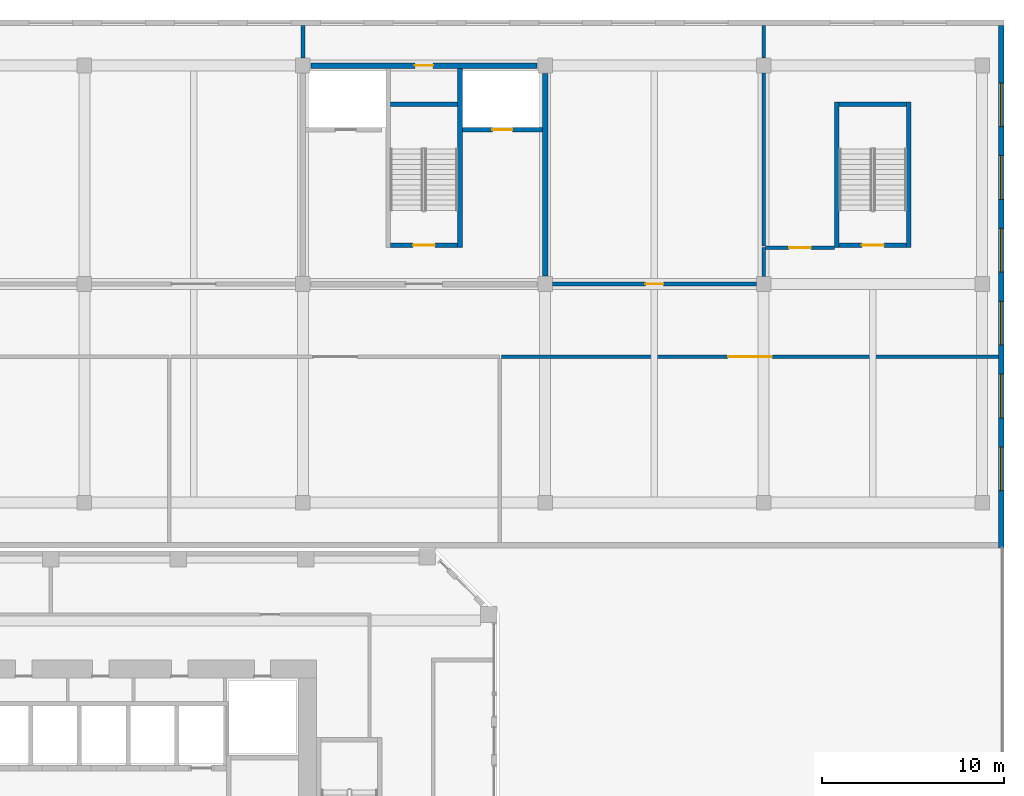
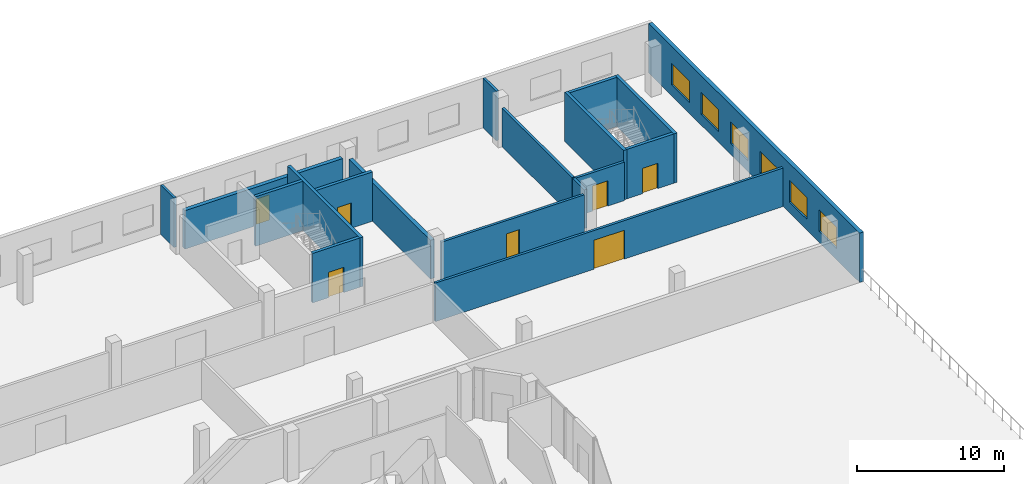
# One storey, part 30 of 38: 18 walls, 7 doors, 6 windows, 13 openings.
"""IFC4 building model written with IfcOpenShell, lengths in metres."""

import ifcopenshell
import ifcopenshell.guid

model = None  # the IFC model being written
_history = None  # IfcOwnerHistory: only IFC2X3 demands one
_inside = {}  # id of a spatial element -> (the spatial element, [elements in it])
_under = {}  # id of a project, library or spatial element -> (it, [spatial elements below it])
_declared = {}  # id of a project -> (the project, [libraries it declares])
_typed = {}  # id of a type object -> (the type object, [elements of that type])
_made_of = {}  # id of a material, layer set ... -> (it, [elements and type objects made of it])


def new_model(schema):
    """Start an empty IFC model of exactly this schema.

    Asked for "IFC4X3", IfcOpenShell would pick the latest addendum, in which some entities
    have other attributes; the version numbers below select the first issue.
    IFC2X3 requires an IfcOwnerHistory on every rooted entity: one is made here for all.
    """
    global model, _history
    if schema == "IFC4X3":
        model = ifcopenshell.file(schema_version=(4, 3, 0, 0))
    else:
        model = ifcopenshell.file(schema=schema)
    _inside.clear()
    _under.clear()
    _declared.clear()
    _typed.clear()
    _made_of.clear()
    _history = None
    if model.schema == "IFC2X3":
        org = make("IfcOrganization", Name="unknown")
        user = make(
            "IfcPersonAndOrganization",
            ThePerson=make("IfcPerson", FamilyName="unknown"),
            TheOrganization=org,
        )
        app = make(
            "IfcApplication",
            ApplicationDeveloper=org,
            Version="unknown",
            ApplicationFullName="unknown",
            ApplicationIdentifier="unknown",
        )
        _history = make(
            "IfcOwnerHistory",
            OwningUser=user,
            OwningApplication=app,
            ChangeAction="ADDED",
            CreationDate=0,
        )
    return model


def make(cls, **values):
    """One entity of the class cls with the attributes given. An attribute that is None is left unset."""
    return model.create_entity(
        cls, **{name: value for name, value in values.items() if value is not None}
    )


def rooted(cls, **values):
    """An entity with a GlobalId (a new one), such as an element, a storey or a relation."""
    return make(cls, GlobalId=ifcopenshell.guid.new(), OwnerHistory=_history, **values)


def si_unit(unit_type, name, prefix=None):
    """IfcSIUnit, for example si_unit("LENGTHUNIT", "METRE", prefix="MILLI")."""
    return make("IfcSIUnit", UnitType=unit_type, Prefix=prefix, Name=name)


def assignment(units):
    """IfcUnitAssignment: the units of a project."""
    return None if units is None else make("IfcUnitAssignment", Units=units)


def point(xyz):
    """IfcCartesianPoint."""
    return None if xyz is None else make("IfcCartesianPoint", Coordinates=xyz)


def direction(xyz):
    """IfcDirection."""
    return None if xyz is None else make("IfcDirection", DirectionRatios=xyz)


def frame(location, z_axis=None, x_axis=None):
    """IfcAxis2Placement3D, a coordinate frame: its origin and axes. An axis left out is left unset."""
    return make(
        "IfcAxis2Placement3D",
        Location=point(location),
        Axis=direction(z_axis),
        RefDirection=direction(x_axis),
    )


def frame_2d(location, x_axis=None):
    """IfcAxis2Placement2D, a coordinate frame in the plane: its origin and x axis."""
    return make(
        "IfcAxis2Placement2D", Location=point(location), RefDirection=direction(x_axis)
    )


def origin():
    """The frame at (0, 0, 0) with its axes left unset."""
    return frame((0.0, 0.0, 0.0))


def place(relative_to, where):
    """IfcLocalPlacement: puts the frame where relative to a parent placement (None: the world)."""
    return make(
        "IfcLocalPlacement", PlacementRelTo=relative_to, RelativePlacement=where
    )


def context(
    kind, dimensions, precision=None, world=None, true_north=None, identifier=None
):
    """IfcGeometricRepresentationContext, for example the 3D "Model" context."""
    return make(
        "IfcGeometricRepresentationContext",
        ContextIdentifier=identifier,
        ContextType=kind,
        CoordinateSpaceDimension=dimensions,
        Precision=precision,
        WorldCoordinateSystem=world,
        TrueNorth=true_north,
    )


def subcontext(parent, identifier, kind, view, scale=None):
    """IfcGeometricRepresentationSubContext, for example "Body" below "Model"."""
    return make(
        "IfcGeometricRepresentationSubContext",
        ContextIdentifier=identifier,
        ContextType=kind,
        ParentContext=parent,
        TargetScale=scale,
        TargetView=view,
    )


def project(units=None, contexts=None):
    """IfcProject with its units and contexts."""
    return rooted(
        "IfcProject",
        Name="project",
        RepresentationContexts=contexts,
        UnitsInContext=assignment(units),
    )


def spatial(cls, under=None, at=None, **own):
    """A site, building, storey or space (cls), placed at a placement, below another one or the project."""
    s = rooted(cls, ObjectPlacement=at, **own)
    if under is not None:
        _under.setdefault(under.id(), (under, []))[1].append(s)
    return s


def profile(cls, at=None, kind="AREA", **sizes):
    """A parametric profile (cls). Its sizes go by their IFC names, for example OverallWidth=200.0."""
    return make(cls, ProfileType=kind, Position=at, **sizes)


def rectangle(**sizes):
    """IfcRectangleProfileDef."""
    return profile("IfcRectangleProfileDef", **sizes)


def extrude(swept, where, along, depth):
    """IfcExtrudedAreaSolid: the profile swept, set in the frame where, extruded along a direction by depth."""
    return make(
        "IfcExtrudedAreaSolid",
        SweptArea=swept,
        Position=where,
        ExtrudedDirection=direction(along),
        Depth=depth,
    )


def shape(context_of_items, identifier, shape_type, items):
    """IfcShapeRepresentation: the items that make up one representation, for example the "Body"."""
    return make(
        "IfcShapeRepresentation",
        ContextOfItems=context_of_items,
        RepresentationIdentifier=identifier,
        RepresentationType=shape_type,
        Items=items,
    )


def source(mapping_origin, context_of_items, identifier, shape_type, items):
    """IfcRepresentationMap: a shape defined once, which mapped items show again and again."""
    return make(
        "IfcRepresentationMap",
        MappingOrigin=mapping_origin,
        MappedRepresentation=shape(context_of_items, identifier, shape_type, items),
    )


def transform(
    local_origin,
    x_axis=None,
    y_axis=None,
    z_axis=None,
    scale=None,
    scale2=None,
    scale3=None,
    uniform=True,
):
    """IfcCartesianTransformationOperator3D, or its non-uniform kind. x_axis, y_axis, z_axis: its Axis1, 2, 3."""
    if uniform:
        return make(
            "IfcCartesianTransformationOperator3D",
            Axis1=direction(x_axis),
            Axis2=direction(y_axis),
            LocalOrigin=point(local_origin),
            Scale=scale,
            Axis3=direction(z_axis),
        )
    return make(
        "IfcCartesianTransformationOperator3DnonUniform",
        Axis1=direction(x_axis),
        Axis2=direction(y_axis),
        LocalOrigin=point(local_origin),
        Scale=scale,
        Axis3=direction(z_axis),
        Scale2=scale2,
        Scale3=scale3,
    )


def mapped(mapping_source, mapping_target):
    """IfcMappedItem: shows the shape of a source again, moved by a transform."""
    return make(
        "IfcMappedItem", MappingSource=mapping_source, MappingTarget=mapping_target
    )


def material(Name=None, Category=None):
    """IfcMaterial."""
    return make("IfcMaterial", Name=Name, Category=Category)


def layer(
    of_material, thickness, ventilated=None, Name=None, Category=None, Priority=None
):
    """IfcMaterialLayer: one layer of a wall or slab, of a material (None: an air gap)."""
    return make(
        "IfcMaterialLayer",
        Material=of_material,
        LayerThickness=thickness,
        IsVentilated=ventilated,
        Name=Name,
        Category=Category,
        Priority=Priority,
    )


def layer_set(layers, Name=None):
    """IfcMaterialLayerSet."""
    return make("IfcMaterialLayerSet", MaterialLayers=layers, LayerSetName=Name)


def made_of(thing, what):
    """Note that an element or type object is made of a material, layer set ...; save() writes the relation."""
    if what is not None:
        _made_of.setdefault(what.id(), (what, []))[1].append(thing)
    return thing


def type_object(cls, material=None, **own):
    """A type object (cls), such as IfcWallType, which elements share."""
    return made_of(rooted(cls, **own), material)


def element(
    cls,
    number,
    at=None,
    inside=None,
    cuts=None,
    type_object=None,
    material=None,
    context=None,
    identifier="Body",
    shape_type=None,
    held_by="IfcProductDefinitionShape",
    body=None,
    shapes=None,
    **own,
):
    """One element of the class cls, such as IfcWall. Its Tag is "e" and its number.

    at: its placement. inside: the storey or other place that contains it. cuts: it is an
    opening in that element (IfcRelVoidsElement). A single representation is given by context,
    identifier, shape_type and body (its items); several are given by shapes. held_by: the class
    of the entity that holds the representations. save() writes the other relations.
    """
    e = rooted(cls, Tag="e%d" % number, ObjectPlacement=at, **own)
    if body is not None:
        shapes = [shape(context, identifier, shape_type, body)]
    if shapes is not None:
        e.Representation = make(held_by, Representations=shapes)
    if inside is not None:
        _inside.setdefault(inside.id(), (inside, []))[1].append(e)
    if cuts is not None:
        rooted(
            "IfcRelVoidsElement", RelatingBuildingElement=cuts, RelatedOpeningElement=e
        )
    if type_object is not None:
        _typed.setdefault(type_object.id(), (type_object, []))[1].append(e)
    return made_of(e, material)


def fill(opening, filler):
    """IfcRelFillsElement: the door or window that sits in an opening."""
    return rooted(
        "IfcRelFillsElement",
        RelatingOpeningElement=opening,
        RelatedBuildingElement=filler,
    )


def aggregate(whole, parts):
    """IfcRelAggregates: a whole, such as a stair, and the parts it consists of."""
    return rooted("IfcRelAggregates", RelatingObject=whole, RelatedObjects=parts)


def save(model, path):
    """Write the relations noted so far, then the file.

    IfcRelAggregates (storeys below a building ...), IfcRelContainedInSpatialStructure (elements
    in a storey), IfcRelDefinesByType, IfcRelAssociatesMaterial and IfcRelDeclares: one each for
    every whole, place, type object, material and project.
    """
    for whole, parts in _under.values():
        aggregate(whole, parts)
    for where, things in _inside.values():
        rooted(
            "IfcRelContainedInSpatialStructure",
            RelatedElements=things,
            RelatingStructure=where,
        )
    for kind, things in _typed.values():
        rooted("IfcRelDefinesByType", RelatedObjects=things, RelatingType=kind)
    for what, things in _made_of.values():
        rooted("IfcRelAssociatesMaterial", RelatedObjects=things, RelatingMaterial=what)
    for by, libraries in _declared.values():
        rooted("IfcRelDeclares", RelatingContext=by, RelatedDefinitions=libraries)
    model.write(path)


model = new_model("IFC4")

# Units and contexts
model_context = context("Model", 3, precision=1e-05, world=origin(), true_north=direction((0.0, 1.0)))
body_context = subcontext(model_context, "Body", "Model", "MODEL_VIEW")
ifc_project = project(units=[si_unit("LENGTHUNIT", "METRE"), si_unit("AREAUNIT", "SQUARE_METRE"), si_unit("VOLUMEUNIT", "CUBIC_METRE"), si_unit("PLANEANGLEUNIT", "RADIAN"), si_unit("MASSUNIT", "GRAM", prefix="KILO")], contexts=[model_context])

# Site, building, storey
site_placement = place(None, origin())
site = spatial("IfcSite", under=ifc_project, at=site_placement, CompositionType="ELEMENT")
building_placement = place(site_placement, origin())
building = spatial("IfcBuilding", under=site, at=building_placement, Name="Kilnfold Tower and Market Hall", CompositionType="ELEMENT")
storey_placement = place(building_placement, frame((0.0, 0.0, 9.0)))
storey = spatial("IfcBuildingStorey", under=building, at=storey_placement, Name="L01", CompositionType="ELEMENT", Elevation=9.0)

# Wall, opening, door
ifc_material_1 = material(Name="Concrete C50/60", Category="concrete")
ifc_layer_1 = layer(ifc_material_1, 0.25)
ifc_layer_set_1 = layer_set([ifc_layer_1], Name="Concrete C50/60")
wall_type_1 = type_object("IfcWallType", Name="HALL CORE WALL 250", PredefinedType="SHEAR", material=ifc_layer_set_1)
shared_shape_1 = source(origin(), body_context, "Body", "SweptSolid", [
    extrude(rectangle(XDim=3.699951171875, YDim=0.25, at=frame_2d((1.85009765625, 0.0))), origin(), (0.0, 0.0, 1.0), 4.10009765625),
])
wall_1_placement = place(storey_placement, frame((46.800048828125, 44.77490234375, 0.0), z_axis=(0.0, 0.0, 1.0), x_axis=(1.0, 0.0, 0.0)))
wall_1 = element("IfcWall", 1, at=wall_1_placement, inside=storey, type_object=wall_type_1, Name="Core wall MS6", PredefinedType="SHEAR", context=body_context, shape_type="MappedRepresentation", body=[
    mapped(shared_shape_1, transform((0.0, 0.0, 0.0))),
])
opening_1_placement = place(wall_1_placement, frame((1.25, 0.0, 0.0)))
opening_1 = element("IfcOpeningElement", 2, at=opening_1_placement, cuts=wall_1, Name="Opening MD9-60", PredefinedType="OPENING", context=body_context, shape_type="SweptSolid", body=[
    extrude(rectangle(XDim=1.199951171875, YDim=2.10009765625, at=frame_2d((0.60009765625, 1.050048828125))), frame((0.0, 0.135009765625, 0.0), z_axis=(0.0, -1.0, 0.0), x_axis=(1.0, 0.0, 0.0)), (0.0, 0.0, 1.0), 0.27001953125),
])
ifc_material_2 = material(Name="Steel S355", Category="steel")
door_type_1 = type_object("IfcDoorType", Name="HALL DOOR STAIR 1200X2100 FD60", OperationType="NOTDEFINED", PredefinedType="DOOR", material=ifc_material_2)
door_1_placement = place(opening_1_placement, origin())
door_1 = element("IfcDoor", 3, at=door_1_placement, inside=storey, type_object=door_type_1, Name="Door MD9-60", OperationType="DOUBLE_DOOR_SINGLE_SWING", OverallHeight=2.10009765625, OverallWidth=1.199951171875, PredefinedType="DOOR", context=body_context, shape_type="SweptSolid", body=[
    extrude(rectangle(XDim=1.199951171875, YDim=2.10009765625, at=frame_2d((0.60009765625, 1.050048828125))), frame((0.0, 0.02490234375, 0.0), z_axis=(0.0, -1.0, 0.0), x_axis=(1.0, 0.0, 0.0)), (0.0, 0.0, 1.0), 0.050048828125),
])
fill(opening_1, door_1)

# Walls
wall_2_placement = place(storey_placement, frame((46.800048828125, 52.52490234375, 0.0), z_axis=(0.0, 0.0, 1.0), x_axis=(1.0, 0.0, 0.0)))
element("IfcWall", 4, at=wall_2_placement, inside=storey, type_object=wall_type_1, Name="Core wall MS6", PredefinedType="SHEAR", context=body_context, shape_type="MappedRepresentation", body=[
    mapped(shared_shape_1, transform((0.0, 0.0, 0.0))),
])
shared_shape_2 = source(origin(), body_context, "Body", "SweptSolid", [
    extrude(rectangle(XDim=3.7001953125, YDim=0.25, at=frame_2d((1.85009765625, 0.0))), origin(), (0.0, 0.0, 1.0), 4.10009765625),
])
wall_3_placement = place(storey_placement, frame((25.85009765625, 52.52490234375, 0.0), z_axis=(0.0, 0.0, 1.0), x_axis=(-1.0, 0.0, 0.0)))
element("IfcWall", 5, at=wall_3_placement, inside=storey, type_object=wall_type_1, Name="Core wall MH3", PredefinedType="SHEAR", context=body_context, shape_type="MappedRepresentation", body=[
    mapped(shared_shape_2, transform((0.0, 0.0, 0.0))),
])

# Wall, opening, door
wall_4_placement = place(storey_placement, frame((25.85009765625, 44.77490234375, 0.0), z_axis=(0.0, 0.0, 1.0), x_axis=(-1.0, 0.0, 0.0)))
wall_4 = element("IfcWall", 6, at=wall_4_placement, inside=storey, type_object=wall_type_1, Name="Core wall MH3", PredefinedType="SHEAR", context=body_context, shape_type="MappedRepresentation", body=[
    mapped(shared_shape_2, transform((0.0, 0.0, 0.0))),
])
opening_2_placement = place(wall_4_placement, frame((1.25, 0.0, 0.0)))
opening_2 = element("IfcOpeningElement", 7, at=opening_2_placement, cuts=wall_4, Name="Opening MD9-60", PredefinedType="OPENING", context=body_context, shape_type="SweptSolid", body=[
    extrude(rectangle(XDim=1.199951171875, YDim=2.10009765625, at=frame_2d((0.60009765625, 1.050048828125))), frame((0.0, 0.135009765625, 0.0), z_axis=(0.0, -1.0, 0.0), x_axis=(1.0, 0.0, 0.0)), (0.0, 0.0, 1.0), 0.27001953125),
])
door_2_placement = place(opening_2_placement, origin())
door_2 = element("IfcDoor", 8, at=door_2_placement, inside=storey, type_object=door_type_1, Name="Door MD9-60", OperationType="DOUBLE_DOOR_SINGLE_SWING", OverallHeight=2.10009765625, OverallWidth=1.199951171875, PredefinedType="DOOR", context=body_context, shape_type="SweptSolid", body=[
    extrude(rectangle(XDim=1.199951171875, YDim=2.10009765625, at=frame_2d((0.60009765625, 1.050048828125))), frame((0.0, 0.02490234375, 0.0), z_axis=(0.0, -1.0, 0.0), x_axis=(1.0, 0.0, 0.0)), (0.0, 0.0, 1.0), 0.050048828125),
])
fill(opening_2, door_2)

# Walls
shared_shape_3 = source(origin(), body_context, "Body", "SweptSolid", [
    extrude(rectangle(XDim=8.0, YDim=0.25, at=frame_2d((4.0, 0.0))), origin(), (0.0, 0.0, 1.0), 4.10009765625),
])
for number, where, z_axis, x_axis, name in (
    (9, (46.675048828125, 44.64990234375, 0.0), (0.0, 0.0, 1.0), (0.0, 1.0, 0.0), "Core wall MS6"),
    (10, (50.625, 44.64990234375, 0.0), (0.0, 0.0, 1.0), (0.0, 1.0, 0.0), "Core wall MS6"),
):
    element("IfcWall", number, at=place(storey_placement, frame(where, z_axis=z_axis, x_axis=x_axis)), inside=storey, type_object=wall_type_1, Name=name, PredefinedType="SHEAR", context=body_context, shape_type="MappedRepresentation", body=[
        mapped(shared_shape_3, transform((0.0, 0.0, 0.0))),
    ])
ifc_material_3 = material(Name="Concrete C50/60", Category="concrete")
ifc_layer_2 = layer(ifc_material_3, 0.300048828125)
ifc_layer_set_2 = layer_set([ifc_layer_2], Name="Concrete C50/60")
wall_type_2 = type_object("IfcWallType", Name="HALL CORE WALL 300", PredefinedType="SHEAR", material=ifc_layer_set_2)
shared_shape_4 = source(origin(), body_context, "Body", "SweptSolid", [
    extrude(rectangle(XDim=11.099853515625, YDim=0.300048828125, at=frame_2d((5.5498046875, 0.0))), origin(), (0.0, 0.0, 1.0), 3.199951171875),
])
wall_5_placement = place(storey_placement, frame((30.64990234375, 54.199951171875, 0.0), z_axis=(0.0, 0.0, 1.0), x_axis=(0.0, -1.0, 0.0)))
element("IfcWall", 11, at=wall_5_placement, inside=storey, type_object=wall_type_2, Name="Core wall MH3", PredefinedType="SHEAR", context=body_context, shape_type="MappedRepresentation", body=[
    mapped(shared_shape_4, transform((0.0, 0.0, 0.0))),
])
shared_shape_5 = source(origin(), body_context, "Body", "SweptSolid", [
    extrude(rectangle(XDim=9.85009765625, YDim=0.25, at=frame_2d((4.925048828125, 0.0))), origin(), (0.0, 0.0, 1.0), 4.10009765625),
])
wall_6_placement = place(storey_placement, frame((25.97509765625, 54.5, 0.0), z_axis=(0.0, 0.0, 1.0), x_axis=(0.0, -1.0, 0.0)))
element("IfcWall", 12, at=wall_6_placement, inside=storey, type_object=wall_type_1, Name="Core wall MH3", PredefinedType="SHEAR", context=body_context, shape_type="MappedRepresentation", body=[
    mapped(shared_shape_5, transform((0.0, 0.0, 0.0))),
])

# Wall, opening, door
shared_shape_6 = source(origin(), body_context, "Body", "SweptSolid", [
    extrude(rectangle(XDim=12.39990234375, YDim=0.300048828125, at=frame_2d((6.199951171875, 0.0))), origin(), (0.0, 0.0, 1.0), 3.199951171875),
])
wall_7_placement = place(storey_placement, frame((30.199951171875, 54.64990234375, 0.0), z_axis=(0.0, 0.0, 1.0), x_axis=(-1.0, 0.0, 0.0)))
wall_7 = element("IfcWall", 13, at=wall_7_placement, inside=storey, type_object=wall_type_2, Name="Core wall MH3", PredefinedType="SHEAR", context=body_context, shape_type="MappedRepresentation", body=[
    mapped(shared_shape_6, transform((0.0, 0.0, 0.0))),
])
opening_3_placement = place(wall_7_placement, frame((5.699951171875, 0.0, 0.0)))
opening_3 = element("IfcOpeningElement", 14, at=opening_3_placement, cuts=wall_7, Name="Opening MD4-60", PredefinedType="OPENING", context=body_context, shape_type="SweptSolid", body=[
    extrude(rectangle(XDim=1.0, YDim=2.10009765625, at=frame_2d((0.5, 1.050048828125))), frame((0.0, 0.16015625, 0.0), z_axis=(0.0, -1.0, 0.0), x_axis=(1.0, 0.0, 0.0)), (0.0, 0.0, 1.0), 0.320068359375),
])
ifc_material_4 = material(Name="Steel S355", Category="steel")
door_type_2 = type_object("IfcDoorType", Name="HALL DOOR RISER 1000X2100 FD60", OperationType="NOTDEFINED", PredefinedType="DOOR", material=ifc_material_4)
door_3_placement = place(opening_3_placement, origin())
door_3 = element("IfcDoor", 15, at=door_3_placement, inside=storey, type_object=door_type_2, Name="Door MD4-60", OperationType="SINGLE_SWING_RIGHT", OverallHeight=2.10009765625, OverallWidth=1.0, PredefinedType="DOOR", context=body_context, shape_type="SweptSolid", body=[
    extrude(rectangle(XDim=1.0, YDim=2.10009765625, at=frame_2d((0.5, 1.050048828125))), frame((0.0, 0.02490234375, 0.0), z_axis=(0.0, -1.0, 0.0), x_axis=(1.0, 0.0, 0.0)), (0.0, 0.0, 1.0), 0.050048828125),
])
fill(opening_3, door_3)

shared_shape_7 = source(origin(), body_context, "Body", "SweptSolid", [
    extrude(rectangle(XDim=4.39990234375, YDim=0.25, at=frame_2d((2.199951171875, 0.0))), origin(), (0.0, 0.0, 1.0), 4.10009765625),
])
wall_8_placement = place(storey_placement, frame((30.5, 51.125, 0.0), z_axis=(0.0, 0.0, 1.0), x_axis=(-1.0, 0.0, 0.0)))
wall_8 = element("IfcWall", 16, at=wall_8_placement, inside=storey, type_object=wall_type_1, Name="Core wall MH3", PredefinedType="SHEAR", context=body_context, shape_type="MappedRepresentation", body=[
    mapped(shared_shape_7, transform((0.0, 0.0, 0.0))),
])
opening_4_placement = place(wall_8_placement, frame((1.64990234375, 0.0, 0.0)))
opening_4 = element("IfcOpeningElement", 17, at=opening_4_placement, cuts=wall_8, Name="Opening LD", PredefinedType="OPENING", context=body_context, shape_type="SweptSolid", body=[
    extrude(rectangle(XDim=1.10009765625, YDim=2.10009765625, at=frame_2d((0.550048828125, 1.050048828125))), frame((0.0, 0.135009765625, 0.0), z_axis=(0.0, -1.0, 0.0), x_axis=(1.0, 0.0, 0.0)), (0.0, 0.0, 1.0), 0.27001953125),
])
ifc_material_5 = material(Name="Steel S355", Category="steel")
door_type_3 = type_object("IfcDoorType", Name="HALL LANDING DOOR 1100X2100 FD60", OperationType="NOTDEFINED", PredefinedType="DOOR", material=ifc_material_5)
door_4_placement = place(opening_4_placement, origin())
door_4 = element("IfcDoor", 18, at=door_4_placement, inside=storey, type_object=door_type_3, Name="Door LD", OperationType="SLIDING_TO_LEFT", OverallHeight=2.10009765625, OverallWidth=1.10009765625, PredefinedType="DOOR", context=body_context, shape_type="SweptSolid", body=[
    extrude(rectangle(XDim=1.10009765625, YDim=2.10009765625, at=frame_2d((0.550048828125, 1.050048828125))), frame((0.0, 0.02490234375, 0.0), z_axis=(0.0, -1.0, 0.0), x_axis=(1.0, 0.0, 0.0)), (0.0, 0.0, 1.0), 0.050048828125),
])
fill(opening_4, door_4)

# Wall, openings, windows
ifc_material_6 = material(Name="Concrete blockwork", Category="masonry")
ifc_layer_3 = layer(ifc_material_6, 0.300048828125)
ifc_layer_set_3 = layer_set([ifc_layer_3], Name="Concrete blockwork")
wall_type_3 = type_object("IfcWallType", Name="HALL EXTERNAL WALL 300 EI 60", PredefinedType="SOLIDWALL", material=ifc_layer_set_3)
shared_shape_8 = source(origin(), body_context, "Body", "SweptSolid", [
    extrude(rectangle(XDim=28.7001953125, YDim=0.300048828125, at=frame_2d((14.35009765625, 0.0))), origin(), (0.0, 0.0, 1.0), 4.10009765625),
])
wall_9_placement = place(storey_placement, frame((55.699951171875, 56.85009765625, 0.0), z_axis=(0.0, 0.0, 1.0), x_axis=(0.0, -1.0, 0.0)))
wall_9 = element("IfcWall", 19, at=wall_9_placement, inside=storey, type_object=wall_type_3, Name="External wall MEW-L01.3", PredefinedType="SOLIDWALL", context=body_context, shape_type="MappedRepresentation", body=[
    mapped(shared_shape_8, transform((0.0, 0.0, 0.0))),
])
opening_5_placement = place(wall_9_placement, frame((3.14990234375, 0.0, 0.89990234375)))
opening_5 = element("IfcOpeningElement", 20, at=opening_5_placement, cuts=wall_9, Name="Opening MEN3", PredefinedType="OPENING", context=body_context, shape_type="SweptSolid", body=[
    extrude(rectangle(XDim=2.39990234375, YDim=1.800048828125, at=frame_2d((1.199951171875, 0.89990234375))), frame((0.0, 0.16015625, 0.0), z_axis=(0.0, -1.0, 0.0), x_axis=(1.0, 0.0, 0.0)), (0.0, 0.0, 1.0), 0.320068359375),
])
opening_6_placement = place(wall_9_placement, frame((7.14990234375, 0.0, 0.89990234375)))
opening_6 = element("IfcOpeningElement", 21, at=opening_6_placement, cuts=wall_9, Name="Opening MEN3", PredefinedType="OPENING", context=body_context, shape_type="SweptSolid", body=[
    extrude(rectangle(XDim=2.39990234375, YDim=1.800048828125, at=frame_2d((1.199951171875, 0.89990234375))), frame((0.0, 0.16015625, 0.0), z_axis=(0.0, -1.0, 0.0), x_axis=(1.0, 0.0, 0.0)), (0.0, 0.0, 1.0), 0.320068359375),
])
opening_7_placement = place(wall_9_placement, frame((11.14990234375, 0.0, 0.89990234375)))
opening_7 = element("IfcOpeningElement", 22, at=opening_7_placement, cuts=wall_9, Name="Opening MEN3", PredefinedType="OPENING", context=body_context, shape_type="SweptSolid", body=[
    extrude(rectangle(XDim=2.39990234375, YDim=1.800048828125, at=frame_2d((1.199951171875, 0.89990234375))), frame((0.0, 0.16015625, 0.0), z_axis=(0.0, -1.0, 0.0), x_axis=(1.0, 0.0, 0.0)), (0.0, 0.0, 1.0), 0.320068359375),
])
opening_8_placement = place(wall_9_placement, frame((15.14990234375, 0.0, 0.89990234375)))
opening_8 = element("IfcOpeningElement", 23, at=opening_8_placement, cuts=wall_9, Name="Opening MEN3", PredefinedType="OPENING", context=body_context, shape_type="SweptSolid", body=[
    extrude(rectangle(XDim=2.39990234375, YDim=1.800048828125, at=frame_2d((1.199951171875, 0.89990234375))), frame((0.0, 0.16015625, 0.0), z_axis=(0.0, -1.0, 0.0), x_axis=(1.0, 0.0, 0.0)), (0.0, 0.0, 1.0), 0.320068359375),
])
opening_9_placement = place(wall_9_placement, frame((19.14990234375, 0.0, 0.89990234375)))
opening_9 = element("IfcOpeningElement", 24, at=opening_9_placement, cuts=wall_9, Name="Opening MEN3", PredefinedType="OPENING", context=body_context, shape_type="SweptSolid", body=[
    extrude(rectangle(XDim=2.39990234375, YDim=1.800048828125, at=frame_2d((1.199951171875, 0.89990234375))), frame((0.0, 0.16015625, 0.0), z_axis=(0.0, -1.0, 0.0), x_axis=(1.0, 0.0, 0.0)), (0.0, 0.0, 1.0), 0.320068359375),
])
opening_10_placement = place(wall_9_placement, frame((23.14990234375, 0.0, 0.89990234375)))
opening_10 = element("IfcOpeningElement", 25, at=opening_10_placement, cuts=wall_9, Name="Opening MEN3", PredefinedType="OPENING", context=body_context, shape_type="SweptSolid", body=[
    extrude(rectangle(XDim=2.39990234375, YDim=1.800048828125, at=frame_2d((1.199951171875, 0.89990234375))), frame((0.0, 0.16015625, 0.0), z_axis=(0.0, -1.0, 0.0), x_axis=(1.0, 0.0, 0.0)), (0.0, 0.0, 1.0), 0.320068359375),
])
ifc_material_7 = material(Name="Aluminium glazing", Category="aluminium")
window_type = type_object("IfcWindowType", Name="HALL WINDOW 2400X1800", PartitioningType="SINGLE_PANEL", PredefinedType="WINDOW", material=ifc_material_7)
window_1_placement = place(opening_5_placement, origin())
window_1 = element("IfcWindow", 26, at=window_1_placement, inside=storey, type_object=window_type, Name="Window upper", OverallHeight=1.800048828125, OverallWidth=2.39990234375, PartitioningType="SINGLE_PANEL", PredefinedType="WINDOW", context=body_context, shape_type="SweptSolid", body=[
    extrude(rectangle(XDim=2.39990234375, YDim=1.800048828125, at=frame_2d((1.199951171875, 0.89990234375))), frame((0.0, 0.030029296875, 0.0), z_axis=(0.0, -1.0, 0.0), x_axis=(1.0, 0.0, 0.0)), (0.0, 0.0, 1.0), 0.06005859375),
])
fill(opening_5, window_1)
window_2_placement = place(opening_6_placement, origin())
window_2 = element("IfcWindow", 27, at=window_2_placement, inside=storey, type_object=window_type, Name="Window upper", OverallHeight=1.800048828125, OverallWidth=2.39990234375, PartitioningType="SINGLE_PANEL", PredefinedType="WINDOW", context=body_context, shape_type="SweptSolid", body=[
    extrude(rectangle(XDim=2.39990234375, YDim=1.800048828125, at=frame_2d((1.199951171875, 0.89990234375))), frame((0.0, 0.030029296875, 0.0), z_axis=(0.0, -1.0, 0.0), x_axis=(1.0, 0.0, 0.0)), (0.0, 0.0, 1.0), 0.06005859375),
])
fill(opening_6, window_2)
window_3_placement = place(opening_7_placement, origin())
window_3 = element("IfcWindow", 28, at=window_3_placement, inside=storey, type_object=window_type, Name="Window upper", OverallHeight=1.800048828125, OverallWidth=2.39990234375, PartitioningType="SINGLE_PANEL", PredefinedType="WINDOW", context=body_context, shape_type="SweptSolid", body=[
    extrude(rectangle(XDim=2.39990234375, YDim=1.800048828125, at=frame_2d((1.199951171875, 0.89990234375))), frame((0.0, 0.030029296875, 0.0), z_axis=(0.0, -1.0, 0.0), x_axis=(1.0, 0.0, 0.0)), (0.0, 0.0, 1.0), 0.06005859375),
])
fill(opening_7, window_3)
window_4_placement = place(opening_8_placement, origin())
window_4 = element("IfcWindow", 29, at=window_4_placement, inside=storey, type_object=window_type, Name="Window upper", OverallHeight=1.800048828125, OverallWidth=2.39990234375, PartitioningType="SINGLE_PANEL", PredefinedType="WINDOW", context=body_context, shape_type="SweptSolid", body=[
    extrude(rectangle(XDim=2.39990234375, YDim=1.800048828125, at=frame_2d((1.199951171875, 0.89990234375))), frame((0.0, 0.030029296875, 0.0), z_axis=(0.0, -1.0, 0.0), x_axis=(1.0, 0.0, 0.0)), (0.0, 0.0, 1.0), 0.06005859375),
])
fill(opening_8, window_4)
window_5_placement = place(opening_9_placement, origin())
window_5 = element("IfcWindow", 30, at=window_5_placement, inside=storey, type_object=window_type, Name="Window upper", OverallHeight=1.800048828125, OverallWidth=2.39990234375, PartitioningType="SINGLE_PANEL", PredefinedType="WINDOW", context=body_context, shape_type="SweptSolid", body=[
    extrude(rectangle(XDim=2.39990234375, YDim=1.800048828125, at=frame_2d((1.199951171875, 0.89990234375))), frame((0.0, 0.030029296875, 0.0), z_axis=(0.0, -1.0, 0.0), x_axis=(1.0, 0.0, 0.0)), (0.0, 0.0, 1.0), 0.06005859375),
])
fill(opening_9, window_5)
window_6_placement = place(opening_10_placement, origin())
window_6 = element("IfcWindow", 31, at=window_6_placement, inside=storey, type_object=window_type, Name="Window upper", OverallHeight=1.800048828125, OverallWidth=2.39990234375, PartitioningType="SINGLE_PANEL", PredefinedType="WINDOW", context=body_context, shape_type="SweptSolid", body=[
    extrude(rectangle(XDim=2.39990234375, YDim=1.800048828125, at=frame_2d((1.199951171875, 0.89990234375))), frame((0.0, 0.030029296875, 0.0), z_axis=(0.0, -1.0, 0.0), x_axis=(1.0, 0.0, 0.0)), (0.0, 0.0, 1.0), 0.06005859375),
])
fill(opening_10, window_6)

# Walls
ifc_material_8 = material(Name="Concrete blockwork", Category="masonry")
ifc_layer_4 = layer(ifc_material_8, 0.199951171875)
ifc_layer_set_4 = layer_set([ifc_layer_4], Name="Concrete blockwork")
wall_type_4 = type_object("IfcWallType", Name="HALL PARTITION 200 EI 60", PredefinedType="PARTITIONING", material=ifc_layer_set_4)
shared_shape_9 = source(origin(), body_context, "Body", "SweptSolid", [
    extrude(rectangle(XDim=1.800048828125, YDim=0.199951171875, at=frame_2d((0.89990234375, 0.0))), origin(), (0.0, 0.0, 1.0), 4.10009765625),
])
wall_10_placement = place(storey_placement, frame((17.35009765625, 56.85009765625, 0.0), z_axis=(0.0, 0.0, 1.0), x_axis=(0.0, -1.0, 0.0)))
element("IfcWall", 32, at=wall_10_placement, inside=storey, type_object=wall_type_4, Name="Partition W-MH-L01.44", PredefinedType="PARTITIONING", context=body_context, shape_type="MappedRepresentation", body=[
    mapped(shared_shape_9, transform((0.0, 0.0, 0.0))),
])
ifc_material_9 = material(Name="Concrete blockwork", Category="masonry")
ifc_layer_5 = layer(ifc_material_9, 0.199951171875)
ifc_layer_set_5 = layer_set([ifc_layer_5], Name="Concrete blockwork")
wall_type_5 = type_object("IfcWallType", Name="HALL PARTITION 200 EI 120", PredefinedType="PARTITIONING", material=ifc_layer_set_5)
wall_11_placement = place(storey_placement, frame((42.64990234375, 56.85009765625, 0.0), z_axis=(0.0, 0.0, 1.0), x_axis=(0.0, -1.0, 0.0)))
element("IfcWall", 33, at=wall_11_placement, inside=storey, type_object=wall_type_5, Name="Partition W-MH-L01.51", PredefinedType="PARTITIONING", context=body_context, shape_type="MappedRepresentation", body=[
    mapped(shared_shape_9, transform((0.0, 0.0, 0.0))),
])
shared_shape_10 = source(origin(), body_context, "Body", "SweptSolid", [
    extrude(rectangle(XDim=9.5, YDim=0.199951171875, at=frame_2d((4.75, 0.0))), origin(), (0.0, 0.0, 1.0), 3.199951171875),
])
wall_12_placement = place(storey_placement, frame((42.64990234375, 54.25, 0.0), z_axis=(0.0, 0.0, 1.0), x_axis=(0.0, -1.0, 0.0)))
element("IfcWall", 34, at=wall_12_placement, inside=storey, type_object=wall_type_5, Name="Partition W-MH-L01.50", PredefinedType="PARTITIONING", context=body_context, shape_type="MappedRepresentation", body=[
    mapped(shared_shape_10, transform((0.0, 0.0, 0.0))),
])

# Wall, opening, door
shared_shape_11 = source(origin(), body_context, "Body", "SweptSolid", [
    extrude(rectangle(XDim=11.199951171875, YDim=0.199951171875, at=frame_2d((5.60009765625, 0.0))), origin(), (0.0, 0.0, 1.0), 3.199951171875),
])
wall_13_placement = place(storey_placement, frame((31.050048828125, 42.64990234375, 0.0), z_axis=(0.0, 0.0, 1.0), x_axis=(1.0, 0.0, 0.0)))
wall_13 = element("IfcWall", 35, at=wall_13_placement, inside=storey, type_object=wall_type_4, Name="Partition W-MH-L01.47", PredefinedType="PARTITIONING", context=body_context, shape_type="MappedRepresentation", body=[
    mapped(shared_shape_11, transform((0.0, 0.0, 0.0))),
])
opening_11_placement = place(wall_13_placement, frame((5.10009765625, 0.0, 0.0)))
opening_11 = element("IfcOpeningElement", 36, at=opening_11_placement, cuts=wall_13, Name="Opening MD5-60", PredefinedType="OPENING", context=body_context, shape_type="SweptSolid", body=[
    extrude(rectangle(XDim=1.0, YDim=2.10009765625, at=frame_2d((0.5, 1.050048828125))), frame((0.0, 0.10986328125, 0.0), z_axis=(0.0, -1.0, 0.0), x_axis=(1.0, 0.0, 0.0)), (0.0, 0.0, 1.0), 0.219970703125),
])
ifc_material_10 = material(Name="Timber", Category="wood")
door_type_4 = type_object("IfcDoorType", Name="HALL DOOR OFFICE 1000X2100 FD60", OperationType="NOTDEFINED", PredefinedType="DOOR", material=ifc_material_10)
door_5_placement = place(opening_11_placement, origin())
door_5 = element("IfcDoor", 37, at=door_5_placement, inside=storey, type_object=door_type_4, Name="Door MD5-60", OperationType="SINGLE_SWING_RIGHT", OverallHeight=2.10009765625, OverallWidth=1.0, PredefinedType="DOOR", context=body_context, shape_type="SweptSolid", body=[
    extrude(rectangle(XDim=1.0, YDim=2.10009765625, at=frame_2d((0.5, 1.050048828125))), frame((0.0, 0.02490234375, 0.0), z_axis=(0.0, -1.0, 0.0), x_axis=(1.0, 0.0, 0.0)), (0.0, 0.0, 1.0), 0.050048828125),
])
fill(opening_11, door_5)

shared_shape_12 = source(origin(), body_context, "Body", "SweptSolid", [
    extrude(rectangle(XDim=3.800048828125, YDim=0.199951171875, at=frame_2d((1.89990234375, 0.0))), origin(), (0.0, 0.0, 1.0), 3.199951171875),
])
wall_14_placement = place(storey_placement, frame((42.75, 44.64990234375, 0.0), z_axis=(0.0, 0.0, 1.0), x_axis=(1.0, 0.0, 0.0)))
wall_14 = element("IfcWall", 38, at=wall_14_placement, inside=storey, type_object=wall_type_5, Name="Partition W-MH-L01.49", PredefinedType="PARTITIONING", context=body_context, shape_type="MappedRepresentation", body=[
    mapped(shared_shape_12, transform((0.0, 0.0, 0.0))),
])
opening_12_placement = place(wall_14_placement, frame((1.300048828125, 0.0, 0.0)))
opening_12 = element("IfcOpeningElement", 39, at=opening_12_placement, cuts=wall_14, Name="Opening MD3-120", PredefinedType="OPENING", context=body_context, shape_type="SweptSolid", body=[
    extrude(rectangle(XDim=1.199951171875, YDim=2.10009765625, at=frame_2d((0.60009765625, 1.050048828125))), frame((0.0, 0.10986328125, 0.0), z_axis=(0.0, -1.0, 0.0), x_axis=(1.0, 0.0, 0.0)), (0.0, 0.0, 1.0), 0.219970703125),
])
ifc_material_11 = material(Name="Steel S355", Category="steel")
door_type_5 = type_object("IfcDoorType", Name="HALL DOOR SERVICE 1200X2100 FD120", OperationType="NOTDEFINED", PredefinedType="DOOR", material=ifc_material_11)
door_6_placement = place(opening_12_placement, origin())
door_6 = element("IfcDoor", 40, at=door_6_placement, inside=storey, type_object=door_type_5, Name="Door MD3-120", OperationType="SINGLE_SWING_LEFT", OverallHeight=2.10009765625, OverallWidth=1.199951171875, PredefinedType="DOOR", context=body_context, shape_type="SweptSolid", body=[
    extrude(rectangle(XDim=1.199951171875, YDim=2.10009765625, at=frame_2d((0.60009765625, 1.050048828125))), frame((0.0, 0.02490234375, 0.0), z_axis=(0.0, -1.0, 0.0), x_axis=(1.0, 0.0, 0.0)), (0.0, 0.0, 1.0), 0.050048828125),
])
fill(opening_12, door_6)

# Wall
shared_shape_13 = source(origin(), body_context, "Body", "SweptSolid", [
    extrude(rectangle(XDim=1.599853515625, YDim=0.199951171875, at=frame_2d((0.7998046875, 0.0))), origin(), (0.0, 0.0, 1.0), 3.199951171875),
])
wall_15_placement = place(storey_placement, frame((42.64990234375, 43.050048828125, 0.0), z_axis=(0.0, 0.0, 1.0), x_axis=(0.0, 1.0, 0.0)))
element("IfcWall", 41, at=wall_15_placement, inside=storey, type_object=wall_type_4, Name="Partition W-MH-L01.48", PredefinedType="PARTITIONING", context=body_context, shape_type="MappedRepresentation", body=[
    mapped(shared_shape_13, transform((0.0, 0.0, 0.0))),
])

# Wall, opening, door
shared_shape_14 = source(origin(), body_context, "Body", "SweptSolid", [
    extrude(rectangle(XDim=27.300048828125, YDim=0.199951171875, at=frame_2d((13.64990234375, 0.0))), origin(), (0.0, 0.0, 1.0), 3.199951171875),
])
wall_16_placement = place(storey_placement, frame((55.550048828125, 38.64990234375, 0.0), z_axis=(0.0, 0.0, 1.0), x_axis=(-1.0, 0.0, 0.0)))
wall_16 = element("IfcWall", 42, at=wall_16_placement, inside=storey, type_object=wall_type_4, Name="Partition W-MH-L01.52", PredefinedType="PARTITIONING", context=body_context, shape_type="MappedRepresentation", body=[
    mapped(shared_shape_14, transform((0.0, 0.0, 0.0))),
])
opening_13_placement = place(wall_16_placement, frame((12.449951171875, 0.0, 0.0)))
opening_13 = element("IfcOpeningElement", 43, at=opening_13_placement, cuts=wall_16, Name="Opening MD7-60", PredefinedType="OPENING", context=body_context, shape_type="SweptSolid", body=[
    extrude(rectangle(XDim=2.39990234375, YDim=2.39990234375, at=frame_2d((1.199951171875, 1.199951171875))), frame((0.0, 0.10986328125, 0.0), z_axis=(0.0, -1.0, 0.0), x_axis=(1.0, 0.0, 0.0)), (0.0, 0.0, 1.0), 0.219970703125),
])
ifc_material_12 = material(Name="Aluminium glazing", Category="aluminium")
door_type_6 = type_object("IfcDoorType", Name="HALL DOOR HALL 2400X2400 FD60", OperationType="NOTDEFINED", PredefinedType="DOOR", material=ifc_material_12)
door_7_placement = place(opening_13_placement, origin())
door_7 = element("IfcDoor", 44, at=door_7_placement, inside=storey, type_object=door_type_6, Name="Door MD7-60", OperationType="DOUBLE_DOOR_SINGLE_SWING", OverallHeight=2.39990234375, OverallWidth=2.39990234375, PredefinedType="DOOR", context=body_context, shape_type="SweptSolid", body=[
    extrude(rectangle(XDim=2.39990234375, YDim=2.39990234375, at=frame_2d((1.199951171875, 1.199951171875))), frame((0.0, 0.02490234375, 0.0), z_axis=(0.0, -1.0, 0.0), x_axis=(1.0, 0.0, 0.0)), (0.0, 0.0, 1.0), 0.050048828125),
])
fill(opening_13, door_7)

save(model, "model.ifc")
